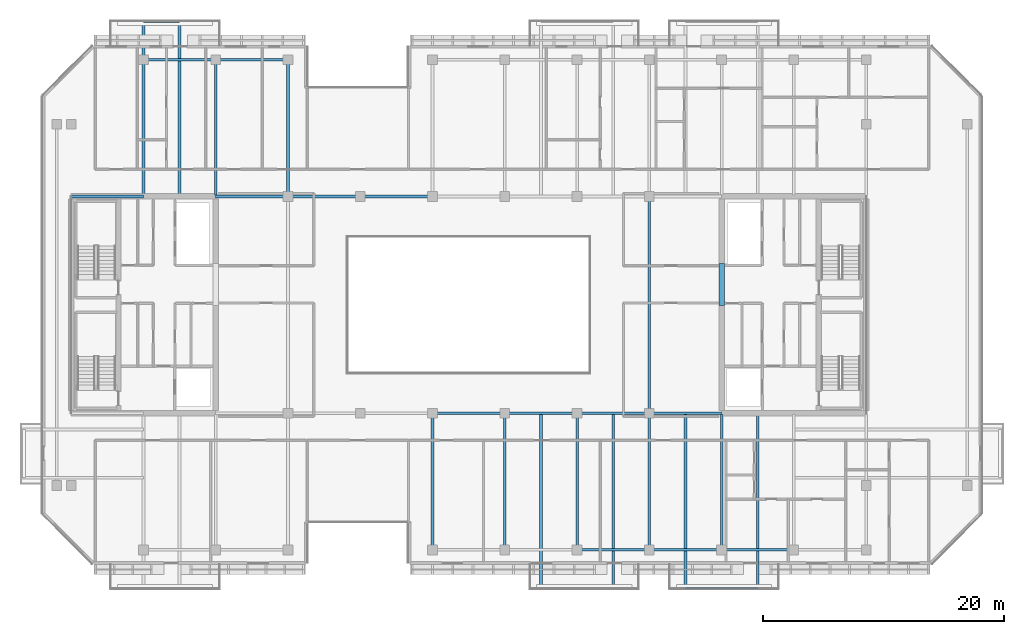
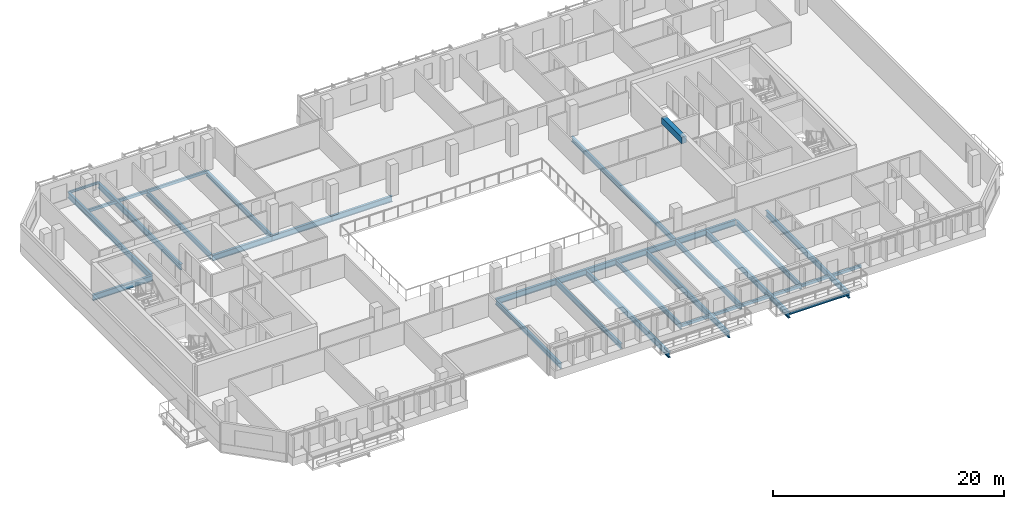
# One storey, part 5 of 22: 30 beams.
"""IFC4 building model written with IfcOpenShell, lengths in metres."""

from ifc_helpers import new_model, si_unit, direction, frame, origin, origin_2d, place, context, subcontext, project, spatial, rectangle, hollow_rectangle, i_section, extrude, material, material_profile, profile_set, type_object, element, save


model = new_model("IFC4")

# Units and contexts
model_context = context("Model", 3, precision=1e-05, world=origin(), true_north=direction((0.0, 1.0)))
body_context = subcontext(model_context, "Body", "Model", "MODEL_VIEW")
ifc_project = project(units=[si_unit("LENGTHUNIT", "METRE"), si_unit("AREAUNIT", "SQUARE_METRE"), si_unit("VOLUMEUNIT", "CUBIC_METRE"), si_unit("PLANEANGLEUNIT", "RADIAN"), si_unit("MASSUNIT", "GRAM", prefix="KILO")], contexts=[model_context])

# Site, building, storey
site_placement = place(None, origin())
site = spatial("IfcSite", under=ifc_project, at=site_placement, CompositionType="ELEMENT")
building_placement = place(site_placement, origin())
building = spatial("IfcBuilding", under=site, at=building_placement, Name="Tanjung Sevakor Pilgrim Tower", CompositionType="ELEMENT")
storey_placement = place(building_placement, frame((0.0, 0.0, 195.030029296875)))
storey = spatial("IfcBuildingStorey", under=building, at=storey_placement, Name="L54", CompositionType="ELEMENT", Elevation=195.030029296875)

# Beams
ifc_material_1 = material(Name="Steel S355J2", Category="steel")
ifc_material_profile_1 = material_profile(ifc_material_1, i_section(OverallWidth=0.22900390625, OverallDepth=0.6123046875, WebThickness=0.011962890625, FlangeThickness=0.01953125, FilletRadius=0.0126953125, at=origin_2d()))
ifc_profile_set_1 = profile_set([ifc_material_profile_1], Name="Steel S355J2")
beam_type_1 = type_object("IfcBeamType", Name="BM-B-G4-UB_610x229x125", PredefinedType="BEAM", material=ifc_profile_set_1)
for number, where, z_axis, x_axis, name in (
    (1, (54.0, 24.60009765625, -0.526123046875), (1.0, 0.0, 0.0), (0.0, 1.0, 0.0), "L54 Primary Floor Girder MAIN Y246-05"),
    (2, (60.0, 24.60009765625, -0.526123046875), (1.0, 0.0, 0.0), (0.0, 1.0, 0.0), "L54 Primary Floor Girder MAIN Y246-06"),
    (3, (66.0, 24.60009765625, -0.526123046875), (1.0, 0.0, 0.0), (0.0, 1.0, 0.0), "L54 Primary Floor Girder MAIN Y246-07"),
    (4, (72.0, 24.60009765625, -0.526123046875), (1.0, 0.0, 0.0), (0.0, 1.0, 0.0), "L54 Primary Floor Girder MAIN Y246-08"),
    (5, (24.0, 42.60009765625, -0.526123046875), (1.0, 0.0, 0.0), (0.0, 1.0, 0.0), "L54 Primary Floor Girder MAIN Y426-01"),
    (6, (36.0, 42.60009765625, -0.526123046875), (1.0, 0.0, 0.0), (0.0, 1.0, 0.0), "L54 Primary Floor Girder MAIN Y426-02"),
    (7, (42.0, 42.60009765625, -0.526123046875), (1.0, 0.0, 0.0), (0.0, 1.0, 0.0), "L54 Primary Floor Girder MAIN Y426-03"),
    (8, (48.0, 42.60009765625, -0.526123046875), (1.0, 0.0, 0.0), (0.0, 1.0, 0.0), "L54 Primary Floor Girder MAIN Y426-04"),
):
    element("IfcBeam", number, at=place(storey_placement, frame(where, z_axis=z_axis, x_axis=x_axis)), inside=storey, type_object=beam_type_1, Name=name, PredefinedType="BEAM", context=body_context, shape_type="SweptSolid", body=[
        extrude(i_section(OverallWidth=0.22900390625, OverallDepth=0.6123046875, WebThickness=0.011962890625, FlangeThickness=0.01953125, FilletRadius=0.0126953125, at=origin_2d()), origin(), (0.0, 0.0, 1.0), 6.0),
    ])
for number, where, z_axis, x_axis, name in (
    (9, (30.0, 42.714599609375, -0.526123046875), (0.0, 1.0, 0.0), (-1.0, 0.0, 0.0), "L54 Balcony Cantilever Beam MAIN-N1-1"),
    (10, (33.0, 42.714599609375, -0.526123046875), (0.0, 1.0, 0.0), (-1.0, 0.0, 0.0), "L54 Balcony Cantilever Beam MAIN-N1-2"),
):
    element("IfcBeam", number, at=place(storey_placement, frame(where, z_axis=z_axis, x_axis=x_axis)), inside=storey, type_object=beam_type_1, Name=name, PredefinedType="BEAM", context=body_context, shape_type="SweptSolid", body=[
        extrude(i_section(OverallWidth=0.22900390625, OverallDepth=0.6123046875, WebThickness=0.011962890625, FlangeThickness=0.01953125, FilletRadius=0.0126953125, at=origin_2d()), origin(), (0.0, 0.0, 1.0), 14.415283203125),
    ])
for number, where, z_axis, x_axis, name in (
    (11, (63.0, 24.485595703125, -0.526123046875), (0.0, -1.0, 0.0), (1.0, 0.0, 0.0), "L54 Balcony Cantilever Beam MAIN-S2-1"),
    (12, (69.0, 24.485595703125, -0.526123046875), (0.0, -1.0, 0.0), (1.0, 0.0, 0.0), "L54 Balcony Cantilever Beam MAIN-S2-2"),
    (13, (75.0, 24.485595703125, -0.526123046875), (0.0, -1.0, 0.0), (1.0, 0.0, 0.0), "L54 Balcony Cantilever Beam MAIN-S3-1"),
    (14, (81.0, 24.485595703125, -0.526123046875), (0.0, -1.0, 0.0), (1.0, 0.0, 0.0), "L54 Balcony Cantilever Beam MAIN-S3-2"),
):
    element("IfcBeam", number, at=place(storey_placement, frame(where, z_axis=z_axis, x_axis=x_axis)), inside=storey, type_object=beam_type_1, Name=name, PredefinedType="BEAM", context=body_context, shape_type="SweptSolid", body=[
        extrude(i_section(OverallWidth=0.22900390625, OverallDepth=0.6123046875, WebThickness=0.011962890625, FlangeThickness=0.01953125, FilletRadius=0.0126953125, at=origin_2d()), origin(), (0.0, 0.0, 1.0), 14.41552734375),
    ])
ifc_material_2 = material(Name="Steel S355J2", Category="steel")
ifc_material_profile_2 = material_profile(ifc_material_2, i_section(OverallWidth=0.2119140625, OverallDepth=0.54443359375, WebThickness=0.0126953125, FlangeThickness=0.021240234375, FilletRadius=0.0126953125, at=origin_2d()))
ifc_profile_set_2 = profile_set([ifc_material_profile_2], Name="Steel S355J2")
beam_type_2 = type_object("IfcBeamType", Name="BM-B-G5-UB_533x210x122", PredefinedType="BEAM", material=ifc_profile_set_2)
beam_1_placement = place(storey_placement, frame((36.0, 42.714599609375, -0.492431640625), z_axis=(0.0, 1.0, 0.0), x_axis=(-1.0, 0.0, 0.0)))
element("IfcBeam", 15, at=beam_1_placement, inside=storey, type_object=beam_type_2, Name="L54 MAIN Girder 002", PredefinedType="BEAM", context=body_context, shape_type="SweptSolid", body=[
    extrude(i_section(OverallWidth=0.2119140625, OverallDepth=0.54443359375, WebThickness=0.0126953125, FlangeThickness=0.021240234375, FilletRadius=0.0126953125, at=origin_2d()), origin(), (0.0, 0.0, 1.0), 11.2353515625),
])
beam_2_placement = place(storey_placement, frame((42.0, 42.60009765625, -0.492431640625), z_axis=(0.0, 1.0, 0.0), x_axis=(-1.0, 0.0, 0.0)))
element("IfcBeam", 16, at=beam_2_placement, inside=storey, type_object=beam_type_2, Name="L54 MAIN Girder 005", PredefinedType="BEAM", context=body_context, shape_type="SweptSolid", body=[
    extrude(i_section(OverallWidth=0.2119140625, OverallDepth=0.54443359375, WebThickness=0.0126953125, FlangeThickness=0.021240234375, FilletRadius=0.0126953125, at=origin_2d()), origin(), (0.0, 0.0, 1.0), 11.349853515625),
])
for number, where, z_axis, x_axis, name in (
    (17, (54.0, 13.25, -0.492431640625), (0.0, 1.0, 0.0), (-1.0, 0.0, 0.0), "L54 MAIN Girder 006"),
    (18, (60.0, 13.25, -0.492431640625), (0.0, 1.0, 0.0), (-1.0, 0.0, 0.0), "L54 MAIN Girder 008"),
    (19, (66.0, 13.25, -0.492431640625), (0.0, 1.0, 0.0), (-1.0, 0.0, 0.0), "L54 MAIN Girder 010"),
    (20, (72.0, 13.25, -0.492431640625), (0.0, 1.0, 0.0), (-1.0, 0.0, 0.0), "L54 MAIN Girder 012"),
):
    element("IfcBeam", number, at=place(storey_placement, frame(where, z_axis=z_axis, x_axis=x_axis)), inside=storey, type_object=beam_type_2, Name=name, PredefinedType="BEAM", context=body_context, shape_type="SweptSolid", body=[
        extrude(i_section(OverallWidth=0.2119140625, OverallDepth=0.54443359375, WebThickness=0.0126953125, FlangeThickness=0.021240234375, FilletRadius=0.0126953125, at=origin_2d()), origin(), (0.0, 0.0, 1.0), 11.35009765625),
    ])
beam_3_placement = place(storey_placement, frame((72.0, 24.60009765625, -0.492431640625), z_axis=(0.0, 1.0, 0.0), x_axis=(-1.0, 0.0, 0.0)))
element("IfcBeam", 21, at=beam_3_placement, inside=storey, type_object=beam_type_2, Name="L54 MAIN Girder 013", PredefinedType="BEAM", context=body_context, shape_type="SweptSolid", body=[
    extrude(i_section(OverallWidth=0.2119140625, OverallDepth=0.54443359375, WebThickness=0.0126953125, FlangeThickness=0.021240234375, FilletRadius=0.0126953125, at=origin_2d()), origin(), (0.0, 0.0, 1.0), 18.0),
])
beam_4_placement = place(storey_placement, frame((78.0, 13.25, -0.492431640625), z_axis=(0.0, 1.0, 0.0), x_axis=(-1.0, 0.0, 0.0)))
element("IfcBeam", 22, at=beam_4_placement, inside=storey, type_object=beam_type_2, Name="L54 MAIN Girder 015", PredefinedType="BEAM", context=body_context, shape_type="SweptSolid", body=[
    extrude(i_section(OverallWidth=0.2119140625, OverallDepth=0.54443359375, WebThickness=0.0126953125, FlangeThickness=0.021240234375, FilletRadius=0.0126953125, at=origin_2d()), origin(), (0.0, 0.0, 1.0), 11.235595703125),
])
ifc_material_3 = material(Name="Steel S355J2", Category="steel")
ifc_material_profile_3 = material_profile(ifc_material_3, i_section(OverallWidth=0.146484375, OverallDepth=0.256103515625, WebThickness=0.00634765625, FlangeThickness=0.010986328125, FilletRadius=0.007568359375, at=origin_2d()))
ifc_profile_set_3 = profile_set([ifc_material_profile_3], Name="Steel S355J2")
beam_type_3 = type_object("IfcBeamType", Name="BM-B-J6-UB_254x146x37", PredefinedType="JOIST", material=ifc_profile_set_3)
beam_5_placement = place(storey_placement, frame((30.0, 57.1298828125, -0.328125), z_axis=(1.0, 0.0, 0.0), x_axis=(0.0, 1.0, 0.0)))
element("IfcBeam", 23, at=beam_5_placement, inside=storey, type_object=beam_type_3, Name="L54 Balcony Rim Tie MAIN-N1", PredefinedType="JOIST", context=body_context, shape_type="SweptSolid", body=[
    extrude(i_section(OverallWidth=0.146484375, OverallDepth=0.256103515625, WebThickness=0.00634765625, FlangeThickness=0.010986328125, FilletRadius=0.007568359375, at=origin_2d()), origin(), (0.0, 0.0, 1.0), 3.0),
])
beam_6_placement = place(storey_placement, frame((75.0, 10.070068359375, -0.328125), z_axis=(1.0, 0.0, 0.0), x_axis=(0.0, 1.0, 0.0)))
element("IfcBeam", 24, at=beam_6_placement, inside=storey, type_object=beam_type_3, Name="L54 Balcony Rim Tie MAIN-S3", PredefinedType="JOIST", context=body_context, shape_type="SweptSolid", body=[
    extrude(i_section(OverallWidth=0.146484375, OverallDepth=0.256103515625, WebThickness=0.00634765625, FlangeThickness=0.010986328125, FilletRadius=0.007568359375, at=origin_2d()), origin(), (0.0, 0.0, 1.0), 6.0),
])
ifc_material_4 = material(Name="Concrete C60/75", Category="concrete")
ifc_material_profile_4 = material_profile(ifc_material_4, rectangle(XDim=0.449951171875, YDim=0.699951171875, at=origin_2d()))
ifc_profile_set_4 = profile_set([ifc_material_profile_4], Name="Concrete C60/75")
beam_type_4 = type_object("IfcBeamType", Name="BM-B-LN3-RC-BM_450x700", PredefinedType="LINTEL", material=ifc_profile_set_4)
beam_7_placement = place(storey_placement, frame((78.0, 33.550048828125, 2.72998046875), z_axis=(0.0, 1.0, 0.0), x_axis=(-1.0, 0.0, 0.0)))
element("IfcBeam", 25, at=beam_7_placement, inside=storey, type_object=beam_type_4, Name="L54 E Core Coupling Lintel", PredefinedType="LINTEL", context=body_context, shape_type="SweptSolid", body=[
    extrude(rectangle(XDim=0.449951171875, YDim=0.699951171875, at=origin_2d()), origin(), (0.0, 0.0, 1.0), 3.5),
])
ifc_material_5 = material(Name="Steel S355J2", Category="steel")
ifc_material_profile_5 = material_profile(ifc_material_5, hollow_rectangle(XDim=0.199951171875, YDim=0.300048828125, WallThickness=0.012451171875, at=origin_2d()))
ifc_profile_set_5 = profile_set([ifc_material_profile_5], Name="Steel S355J2")
beam_type_5 = type_object("IfcBeamType", Name="BM-B-SP3-RHS_300x200x12.5", PredefinedType="SPANDREL", material=ifc_profile_set_5)
for number, where, z_axis, x_axis, name in (
    (26, (30.0, 53.949951171875, -0.3701171875), (1.0, 0.0, 0.0), (0.0, 1.0, 0.0), "L54 Spandrel MAIN N-02"),
    (27, (36.0, 53.949951171875, -0.3701171875), (1.0, 0.0, 0.0), (0.0, 1.0, 0.0), "L54 Spandrel MAIN N-04"),
    (28, (66.0, 13.25, -0.3701171875), (1.0, 0.0, 0.0), (0.0, 1.0, 0.0), "L54 Spandrel MAIN S-09"),
    (29, (72.0, 13.25, -0.3701171875), (1.0, 0.0, 0.0), (0.0, 1.0, 0.0), "L54 Spandrel MAIN S-11"),
    (30, (78.0, 13.25, -0.3701171875), (1.0, 0.0, 0.0), (0.0, 1.0, 0.0), "L54 Spandrel MAIN S-13"),
):
    element("IfcBeam", number, at=place(storey_placement, frame(where, z_axis=z_axis, x_axis=x_axis)), inside=storey, type_object=beam_type_5, Name=name, PredefinedType="SPANDREL", context=body_context, shape_type="SweptSolid", body=[
        extrude(hollow_rectangle(XDim=0.199951171875, YDim=0.300048828125, WallThickness=0.012451171875, at=origin_2d()), origin(), (0.0, 0.0, 1.0), 6.0),
    ])

save(model, "model.ifc")
